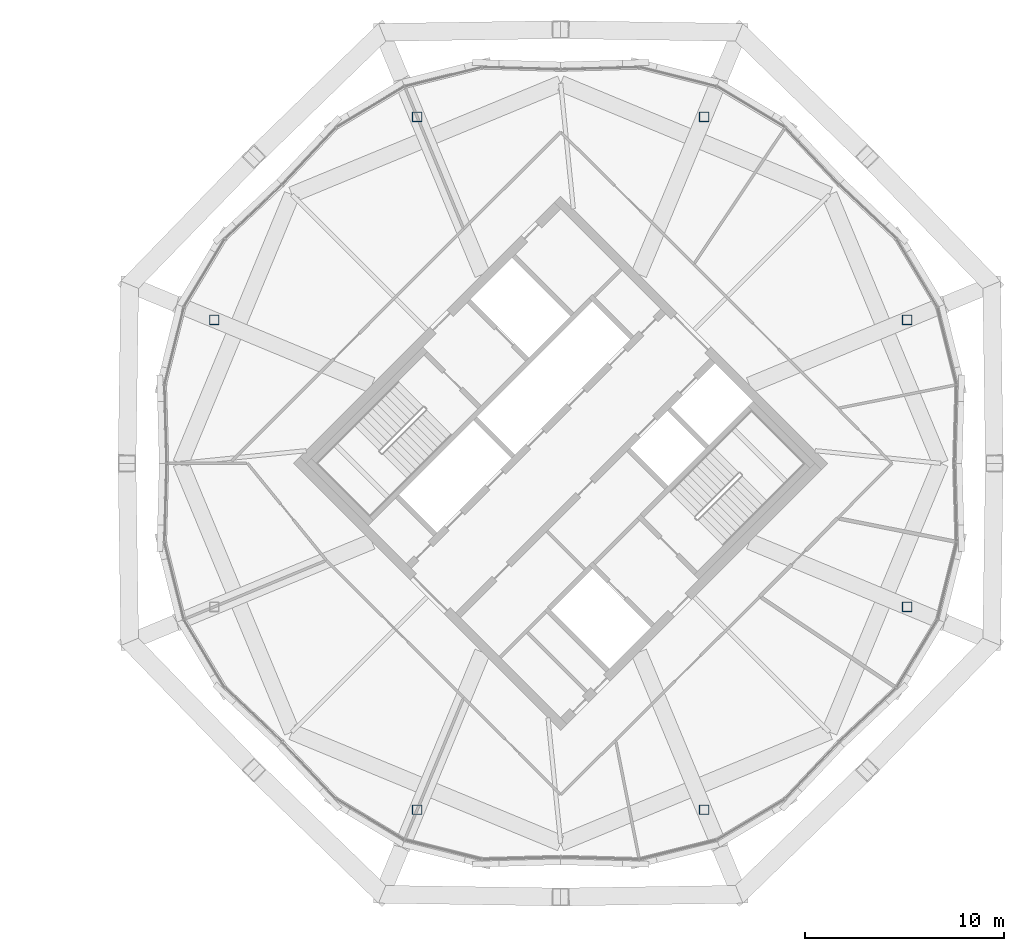
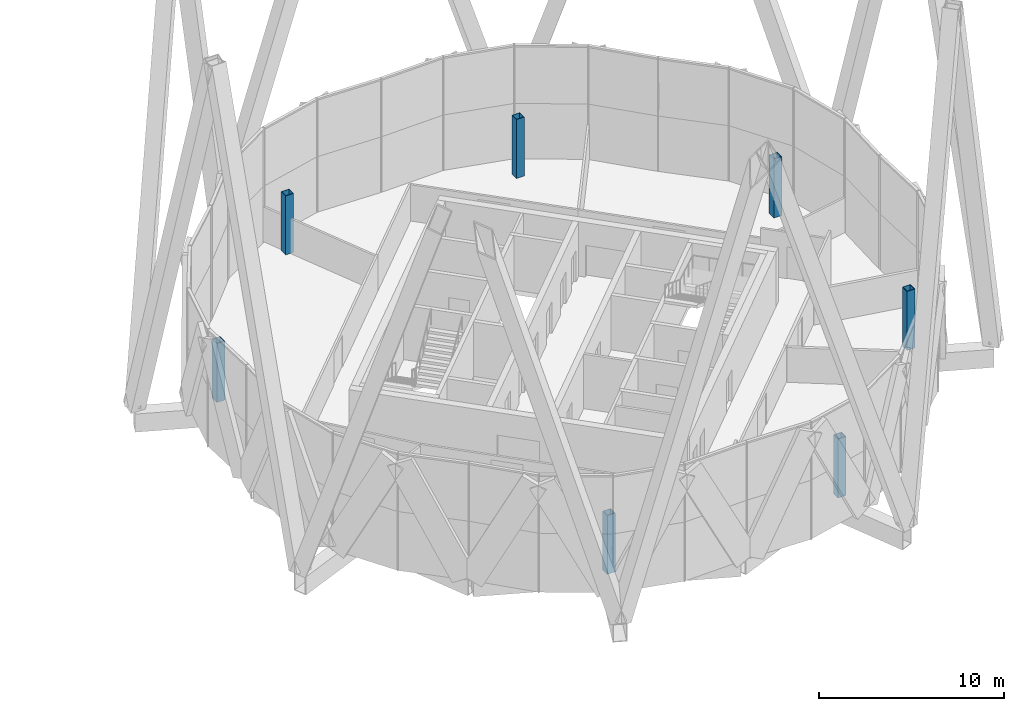
# One storey, part 2 of 53: 7 columns.
"""IFC4 building model written with IfcOpenShell, lengths in metres."""

import ifcopenshell
import ifcopenshell.guid

model = None  # the IFC model being written
_history = None  # IfcOwnerHistory: only IFC2X3 demands one
_inside = {}  # id of a spatial element -> (the spatial element, [elements in it])
_under = {}  # id of a project, library or spatial element -> (it, [spatial elements below it])
_declared = {}  # id of a project -> (the project, [libraries it declares])
_typed = {}  # id of a type object -> (the type object, [elements of that type])
_made_of = {}  # id of a material, layer set ... -> (it, [elements and type objects made of it])


def new_model(schema):
    """Start an empty IFC model of exactly this schema.

    Asked for "IFC4X3", IfcOpenShell would pick the latest addendum, in which some entities
    have other attributes; the version numbers below select the first issue.
    IFC2X3 requires an IfcOwnerHistory on every rooted entity: one is made here for all.
    """
    global model, _history
    if schema == "IFC4X3":
        model = ifcopenshell.file(schema_version=(4, 3, 0, 0))
    else:
        model = ifcopenshell.file(schema=schema)
    _inside.clear()
    _under.clear()
    _declared.clear()
    _typed.clear()
    _made_of.clear()
    _history = None
    if model.schema == "IFC2X3":
        org = make("IfcOrganization", Name="unknown")
        user = make(
            "IfcPersonAndOrganization",
            ThePerson=make("IfcPerson", FamilyName="unknown"),
            TheOrganization=org,
        )
        app = make(
            "IfcApplication",
            ApplicationDeveloper=org,
            Version="unknown",
            ApplicationFullName="unknown",
            ApplicationIdentifier="unknown",
        )
        _history = make(
            "IfcOwnerHistory",
            OwningUser=user,
            OwningApplication=app,
            ChangeAction="ADDED",
            CreationDate=0,
        )
    return model


def make(cls, **values):
    """One entity of the class cls with the attributes given. An attribute that is None is left unset."""
    return model.create_entity(
        cls, **{name: value for name, value in values.items() if value is not None}
    )


def rooted(cls, **values):
    """An entity with a GlobalId (a new one), such as an element, a storey or a relation."""
    return make(cls, GlobalId=ifcopenshell.guid.new(), OwnerHistory=_history, **values)


def si_unit(unit_type, name, prefix=None):
    """IfcSIUnit, for example si_unit("LENGTHUNIT", "METRE", prefix="MILLI")."""
    return make("IfcSIUnit", UnitType=unit_type, Prefix=prefix, Name=name)


def assignment(units):
    """IfcUnitAssignment: the units of a project."""
    return None if units is None else make("IfcUnitAssignment", Units=units)


def point(xyz):
    """IfcCartesianPoint."""
    return None if xyz is None else make("IfcCartesianPoint", Coordinates=xyz)


def direction(xyz):
    """IfcDirection."""
    return None if xyz is None else make("IfcDirection", DirectionRatios=xyz)


def frame(location, z_axis=None, x_axis=None):
    """IfcAxis2Placement3D, a coordinate frame: its origin and axes. An axis left out is left unset."""
    return make(
        "IfcAxis2Placement3D",
        Location=point(location),
        Axis=direction(z_axis),
        RefDirection=direction(x_axis),
    )


def frame_2d(location, x_axis=None):
    """IfcAxis2Placement2D, a coordinate frame in the plane: its origin and x axis."""
    return make(
        "IfcAxis2Placement2D", Location=point(location), RefDirection=direction(x_axis)
    )


def origin():
    """The frame at (0, 0, 0) with its axes left unset."""
    return frame((0.0, 0.0, 0.0))


def origin_2d():
    """The frame at (0, 0) in the plane with its x axis left unset."""
    return frame_2d((0.0, 0.0))


def place(relative_to, where):
    """IfcLocalPlacement: puts the frame where relative to a parent placement (None: the world)."""
    return make(
        "IfcLocalPlacement", PlacementRelTo=relative_to, RelativePlacement=where
    )


def context(
    kind, dimensions, precision=None, world=None, true_north=None, identifier=None
):
    """IfcGeometricRepresentationContext, for example the 3D "Model" context."""
    return make(
        "IfcGeometricRepresentationContext",
        ContextIdentifier=identifier,
        ContextType=kind,
        CoordinateSpaceDimension=dimensions,
        Precision=precision,
        WorldCoordinateSystem=world,
        TrueNorth=true_north,
    )


def subcontext(parent, identifier, kind, view, scale=None):
    """IfcGeometricRepresentationSubContext, for example "Body" below "Model"."""
    return make(
        "IfcGeometricRepresentationSubContext",
        ContextIdentifier=identifier,
        ContextType=kind,
        ParentContext=parent,
        TargetScale=scale,
        TargetView=view,
    )


def project(units=None, contexts=None):
    """IfcProject with its units and contexts."""
    return rooted(
        "IfcProject",
        Name="project",
        RepresentationContexts=contexts,
        UnitsInContext=assignment(units),
    )


def spatial(cls, under=None, at=None, **own):
    """A site, building, storey or space (cls), placed at a placement, below another one or the project."""
    s = rooted(cls, ObjectPlacement=at, **own)
    if under is not None:
        _under.setdefault(under.id(), (under, []))[1].append(s)
    return s


def profile(cls, at=None, kind="AREA", **sizes):
    """A parametric profile (cls). Its sizes go by their IFC names, for example OverallWidth=200.0."""
    return make(cls, ProfileType=kind, Position=at, **sizes)


def hollow_rectangle(**sizes):
    """IfcRectangleHollowProfileDef."""
    return profile("IfcRectangleHollowProfileDef", **sizes)


def extrude(swept, where, along, depth):
    """IfcExtrudedAreaSolid: the profile swept, set in the frame where, extruded along a direction by depth."""
    return make(
        "IfcExtrudedAreaSolid",
        SweptArea=swept,
        Position=where,
        ExtrudedDirection=direction(along),
        Depth=depth,
    )


def shape(context_of_items, identifier, shape_type, items):
    """IfcShapeRepresentation: the items that make up one representation, for example the "Body"."""
    return make(
        "IfcShapeRepresentation",
        ContextOfItems=context_of_items,
        RepresentationIdentifier=identifier,
        RepresentationType=shape_type,
        Items=items,
    )


def material(Name=None, Category=None):
    """IfcMaterial."""
    return make("IfcMaterial", Name=Name, Category=Category)


def material_profile(
    of_material, cross_section, Name=None, Category=None, Priority=None
):
    """IfcMaterialProfile: a cross section and its material."""
    return make(
        "IfcMaterialProfile",
        Name=Name,
        Material=of_material,
        Profile=cross_section,
        Priority=Priority,
        Category=Category,
    )


def profile_set(profiles, Name=None, composite=None):
    """IfcMaterialProfileSet."""
    return make(
        "IfcMaterialProfileSet",
        Name=Name,
        MaterialProfiles=profiles,
        CompositeProfile=composite,
    )


def made_of(thing, what):
    """Note that an element or type object is made of a material, layer set ...; save() writes the relation."""
    if what is not None:
        _made_of.setdefault(what.id(), (what, []))[1].append(thing)
    return thing


def type_object(cls, material=None, **own):
    """A type object (cls), such as IfcWallType, which elements share."""
    return made_of(rooted(cls, **own), material)


def element(
    cls,
    number,
    at=None,
    inside=None,
    cuts=None,
    type_object=None,
    material=None,
    context=None,
    identifier="Body",
    shape_type=None,
    held_by="IfcProductDefinitionShape",
    body=None,
    shapes=None,
    **own,
):
    """One element of the class cls, such as IfcWall. Its Tag is "e" and its number.

    at: its placement. inside: the storey or other place that contains it. cuts: it is an
    opening in that element (IfcRelVoidsElement). A single representation is given by context,
    identifier, shape_type and body (its items); several are given by shapes. held_by: the class
    of the entity that holds the representations. save() writes the other relations.
    """
    e = rooted(cls, Tag="e%d" % number, ObjectPlacement=at, **own)
    if body is not None:
        shapes = [shape(context, identifier, shape_type, body)]
    if shapes is not None:
        e.Representation = make(held_by, Representations=shapes)
    if inside is not None:
        _inside.setdefault(inside.id(), (inside, []))[1].append(e)
    if cuts is not None:
        rooted(
            "IfcRelVoidsElement", RelatingBuildingElement=cuts, RelatedOpeningElement=e
        )
    if type_object is not None:
        _typed.setdefault(type_object.id(), (type_object, []))[1].append(e)
    return made_of(e, material)


def aggregate(whole, parts):
    """IfcRelAggregates: a whole, such as a stair, and the parts it consists of."""
    return rooted("IfcRelAggregates", RelatingObject=whole, RelatedObjects=parts)


def save(model, path):
    """Write the relations noted so far, then the file.

    IfcRelAggregates (storeys below a building ...), IfcRelContainedInSpatialStructure (elements
    in a storey), IfcRelDefinesByType, IfcRelAssociatesMaterial and IfcRelDeclares: one each for
    every whole, place, type object, material and project.
    """
    for whole, parts in _under.values():
        aggregate(whole, parts)
    for where, things in _inside.values():
        rooted(
            "IfcRelContainedInSpatialStructure",
            RelatedElements=things,
            RelatingStructure=where,
        )
    for kind, things in _typed.values():
        rooted("IfcRelDefinesByType", RelatedObjects=things, RelatingType=kind)
    for what, things in _made_of.values():
        rooted("IfcRelAssociatesMaterial", RelatedObjects=things, RelatingMaterial=what)
    for by, libraries in _declared.values():
        rooted("IfcRelDeclares", RelatingContext=by, RelatedDefinitions=libraries)
    model.write(path)


model = new_model("IFC4")

# Units and contexts
model_context = context("Model", 3, precision=1e-05, world=origin(), true_north=direction((0.0, 1.0)))
body_context = subcontext(model_context, "Body", "Model", "MODEL_VIEW")
ifc_project = project(units=[si_unit("LENGTHUNIT", "METRE"), si_unit("AREAUNIT", "SQUARE_METRE"), si_unit("VOLUMEUNIT", "CUBIC_METRE"), si_unit("PLANEANGLEUNIT", "RADIAN"), si_unit("MASSUNIT", "GRAM", prefix="KILO")], contexts=[model_context])

# Site, building, storey
site_placement = place(None, origin())
site = spatial("IfcSite", under=ifc_project, at=site_placement, CompositionType="ELEMENT")
building_placement = place(site_placement, origin())
building = spatial("IfcBuilding", under=site, at=building_placement, Name="Ogive Gate Towers", CompositionType="ELEMENT")
storey_placement = place(building_placement, frame((0.0, 0.0, 240.60009765625)))
storey = spatial("IfcBuildingStorey", under=building, at=storey_placement, Name="L57", CompositionType="ELEMENT", Elevation=240.60009765625)

# Columns
ifc_material = material(Name="Steel SM460", Category="steel")
ifc_material_profile = material_profile(ifc_material, hollow_rectangle(XDim=0.5, YDim=0.5, WallThickness=0.030029296875, at=origin_2d()), Name="BX 500x500x30")
ifc_profile_set = profile_set([ifc_material_profile], Name="Steel SM460")
column_type = type_object("IfcColumnType", Name="Perimeter post BX 500x500x30", PredefinedType="COLUMN", material=ifc_profile_set)
for number, where, z_axis, x_axis, name in (
    (1, (53.42431640625, 7.217529296875, 0.0), (0.0, 0.0, 1.0), (1.0, 0.0, 0.0), "T2/L57/SCL001"),
    (2, (43.217529296875, 17.42431640625, 0.0), (0.0, 0.0, 1.0), (1.0, 0.0, 0.0), "T2/L57/SCL002"),
    (3, (28.782470703125, 17.42431640625, 0.0), (0.0, 0.0, 1.0), (1.0, 0.0, 0.0), "T2/L57/SCL003"),
    (4, (18.57568359375, 7.217529296875, 0.0), (0.0, 0.0, 1.0), (1.0, 0.0, 0.0), "T2/L57/SCL004"),
    (5, (28.782470703125, -17.42431640625, 0.0), (0.0, 0.0, 1.0), (1.0, 0.0, 0.0), "T2/L57/SCL006"),
    (6, (43.217529296875, -17.42431640625, 0.0), (0.0, 0.0, 1.0), (1.0, 0.0, 0.0), "T2/L57/SCL007"),
    (7, (53.42431640625, -7.217529296875, 0.0), (0.0, 0.0, 1.0), (1.0, 0.0, 0.0), "T2/L57/SCL008"),
):
    element("IfcColumn", number, at=place(storey_placement, frame(where, z_axis=z_axis, x_axis=x_axis)), inside=storey, type_object=column_type, Name=name, PredefinedType="COLUMN", context=body_context, shape_type="SweptSolid", body=[
        extrude(hollow_rectangle(XDim=0.5, YDim=0.5, WallThickness=0.030029296875, at=origin_2d()), origin(), (0.0, 0.0, 1.0), 3.89990234375),
    ])

save(model, "model.ifc")
